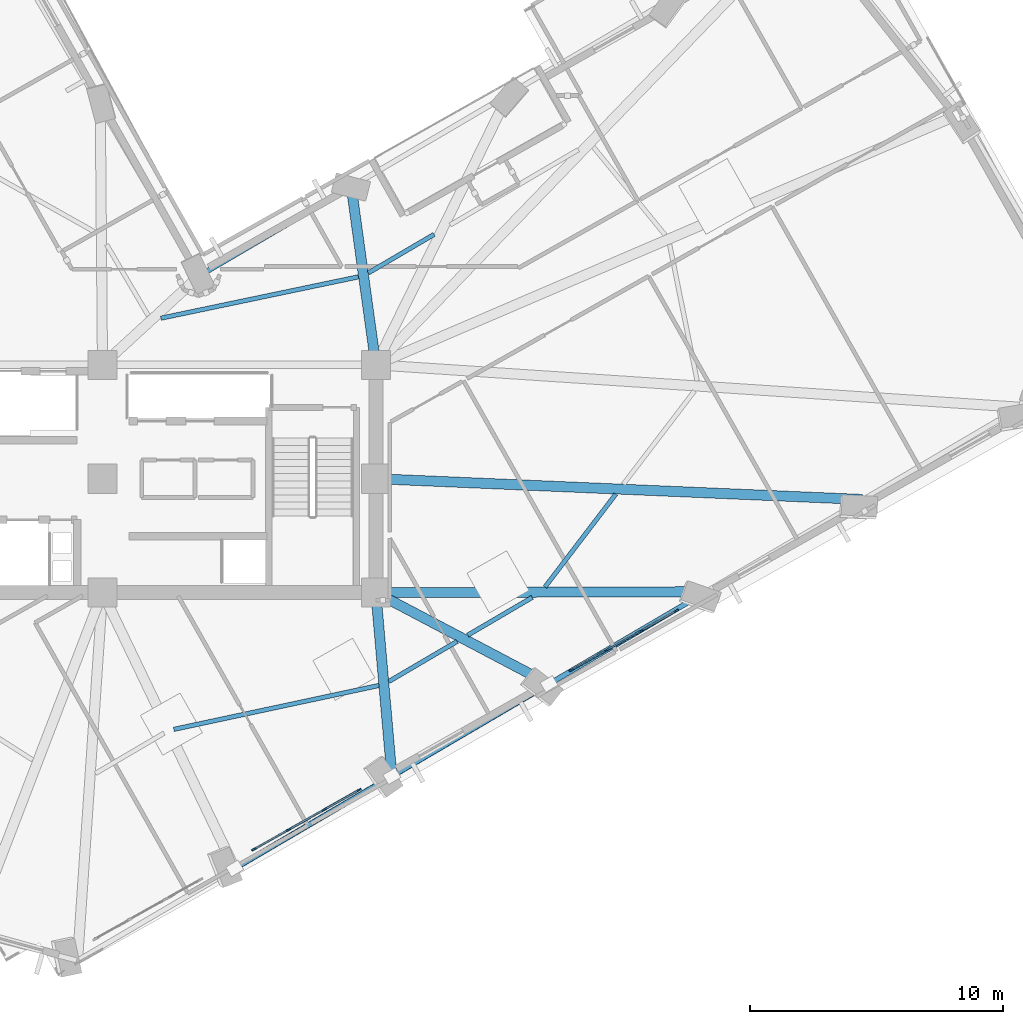
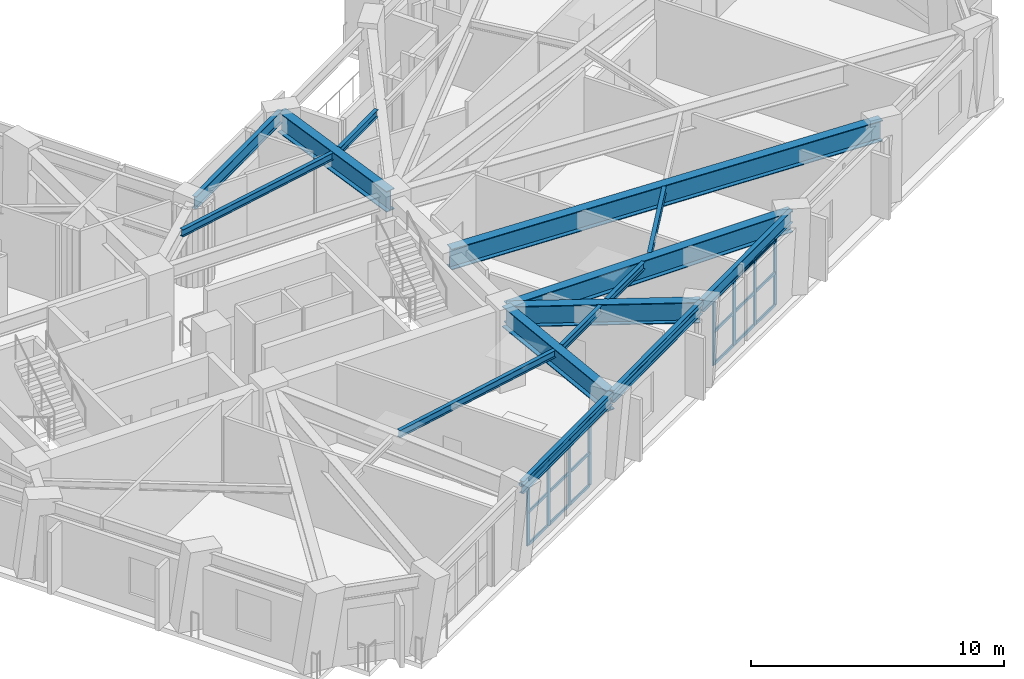
# One storey, part 4 of 18: 28 members, 15 beams, 2 elements without a shape of their own.
"""IFC4 building model written with IfcOpenShell, lengths in metres."""

from ifc_helpers import new_model, si_unit, direction, frame, origin, origin_2d, place, context, subcontext, project, spatial, rectangle, hollow_circle, i_section, extrude, material, material_profile, profile_set, type_object, element, aggregate, save


model = new_model("IFC4")

# Units and contexts
model_context = context("Model", 3, precision=1e-05, world=origin(), true_north=direction((0.0, 1.0)))
body_context = subcontext(model_context, "Body", "Model", "MODEL_VIEW")
ifc_project = project(units=[si_unit("LENGTHUNIT", "METRE"), si_unit("AREAUNIT", "SQUARE_METRE"), si_unit("VOLUMEUNIT", "CUBIC_METRE"), si_unit("PLANEANGLEUNIT", "RADIAN"), si_unit("MASSUNIT", "GRAM", prefix="KILO")], contexts=[model_context])

# Site, building, storey
site_placement = place(None, origin())
site = spatial("IfcSite", under=ifc_project, at=site_placement, CompositionType="ELEMENT")
building_placement = place(site_placement, origin())
building = spatial("IfcBuilding", under=site, at=building_placement, Name="Gaonmaruhae Medical Tower", CompositionType="ELEMENT")
storey_placement = place(building_placement, frame((0.0, 0.0, 149.800048828125)))
storey = spatial("IfcBuildingStorey", under=building, at=storey_placement, Name="L35", CompositionType="ELEMENT", Elevation=149.800048828125)

# Beams
ifc_material_1 = material(Name="Steel SM420", Category="steel")
ifc_material_profile_1 = material_profile(ifc_material_1, i_section(OverallWidth=0.39990234375, OverallDepth=1.0, WebThickness=0.02197265625, FlangeThickness=0.035888671875, at=origin_2d()), Name="BH-1000x400x22x36")
ifc_profile_set_1 = profile_set([ifc_material_profile_1], Name="Steel SM420")
beam_type_1 = type_object("IfcBeamType", Name="BG-02 Refuge Floor Primary Girder (BH-1000x400x22x36)", PredefinedType="BEAM", material=ifc_profile_set_1)
beam_1_placement = place(storey_placement, frame((35.604248046875, 7.750244140625, 3.280029296875), z_axis=(0.087128560013, -0.996197075899, 0.0), x_axis=(0.996197075899, 0.087128560013, 0.0)))
element("IfcBeam", 1, at=beam_1_placement, inside=storey, type_object=beam_type_1, Name="L35 Radial Primary Girder S03", PredefinedType="BEAM", context=body_context, shape_type="SweptSolid", body=[
    extrude(i_section(OverallWidth=0.39990234375, OverallDepth=1.0, WebThickness=0.02197265625, FlangeThickness=0.035888671875, at=origin_2d()), origin(), (0.0, 0.0, 1.0), 7.178955078125),
])
beam_2_placement = place(storey_placement, frame((35.644287109375, 7.776611328125, 3.280029296875), z_axis=(0.884624011189, -0.466305006223, 0.0), x_axis=(0.466305006223, 0.884624011189, 0.0)))
element("IfcBeam", 2, at=beam_2_placement, inside=storey, type_object=beam_type_1, Name="L35 Radial Primary Girder S04", PredefinedType="BEAM", context=body_context, shape_type="SweptSolid", body=[
    extrude(i_section(OverallWidth=0.39990234375, OverallDepth=1.0, WebThickness=0.02197265625, FlangeThickness=0.035888671875, at=origin_2d()), origin(), (0.0, 0.0, 1.0), 7.63671875),
])
beam_3_placement = place(storey_placement, frame((35.64990234375, 7.800048828125, 3.280029296875), z_axis=(0.999996266186, 0.002732693666, 0.0), x_axis=(-0.002732693666, 0.999996266186, 0.0)))
element("IfcBeam", 3, at=beam_3_placement, inside=storey, type_object=beam_type_1, Name="L35 Radial Primary Girder S05", PredefinedType="BEAM", context=body_context, shape_type="SweptSolid", body=[
    extrude(i_section(OverallWidth=0.39990234375, OverallDepth=1.0, WebThickness=0.02197265625, FlangeThickness=0.035888671875, at=origin_2d()), origin(), (0.0, 0.0, 1.0), 12.954345703125),
])
beam_4_placement = place(storey_placement, frame((35.64990234375, 12.2978515625, 3.280029296875), z_axis=(0.99909331986, -0.042573914685, 0.0), x_axis=(0.042573914685, 0.99909331986, 0.0)))
element("IfcBeam", 4, at=beam_4_placement, inside=storey, type_object=beam_type_1, Name="L35 Radial Primary Girder S06", PredefinedType="BEAM", context=body_context, shape_type="SweptSolid", body=[
    extrude(i_section(OverallWidth=0.39990234375, OverallDepth=1.0, WebThickness=0.02197265625, FlangeThickness=0.035888671875, at=origin_2d()), origin(), (0.0, 0.0, 1.0), 19.181884765625),
])
beam_5_placement = place(storey_placement, frame((35.59326171875, 16.849609375, 3.280029296875), z_axis=(-0.136798972832, 0.990598829513, 0.0), x_axis=(-0.990598829513, -0.136798972832, 0.0)))
element("IfcBeam", 5, at=beam_5_placement, inside=storey, type_object=beam_type_1, Name="L35 Radial Primary Girder EN03", PredefinedType="BEAM", context=body_context, shape_type="SweptSolid", body=[
    extrude(i_section(OverallWidth=0.39990234375, OverallDepth=1.0, WebThickness=0.02197265625, FlangeThickness=0.035888671875, at=origin_2d()), origin(), (0.0, 0.0, 1.0), 7.0048828125),
])

# Curtain wall, members
ifc_material_2 = material(Name="Anodised aluminium and Low-E double glazing", Category="aluminium")
curtain_wall_type_1 = type_object("IfcCurtainWallType", Name="CW-S3 Spiralling Dayroom Ribbon Curtain Wall", PredefinedType="NOTDEFINED", material=ifc_material_2)
curtain_wall_1_placement = place(storey_placement, origin())
curtain_wall_1 = element("IfcCurtainWall", 6, at=curtain_wall_1_placement, inside=storey, type_object=curtain_wall_type_1, Name="L35 Curtain Wall CW-L35-S02", PredefinedType="NOTDEFINED")
ifc_material_3 = material(Name="Anodised aluminium 6063-T6", Category="aluminium")
ifc_material_profile_2 = material_profile(ifc_material_3, rectangle(XDim=0.06494140625, YDim=0.179931640625, at=origin_2d()), Name="CWM-65x180")
ifc_profile_set_2 = profile_set([ifc_material_profile_2], Name="Anodised aluminium 6063-T6")
member_type_1 = type_object("IfcMemberType", Name="CWM-2 Tower Feature Curtain Wall Mullion (CWM-65x180)", PredefinedType="MULLION", material=ifc_profile_set_2)
member_1_placement = place(storey_placement, frame((34.93408203125, 0.001708984375, 0.0), z_axis=(0.0, 0.0, 1.0), x_axis=(0.491662875604, -0.870785631917, 0.0)))
member_1 = element("IfcMember", 7, at=member_1_placement, type_object=member_type_1, Name="CW-S3 mullion 1", PredefinedType="MULLION", context=body_context, shape_type="SweptSolid", body=[
    extrude(rectangle(XDim=0.06494140625, YDim=0.179931640625, at=origin_2d()), origin(), (0.0, 0.0, 1.0), 3.1650390625),
])
member_2_placement = place(storey_placement, frame((33.55810546875, -0.775390625, 0.0), z_axis=(0.0, 0.0, 1.0), x_axis=(0.491662875604, -0.870785631917, 0.0)))
member_2 = element("IfcMember", 8, at=member_2_placement, type_object=member_type_1, Name="CW-S3 mullion 2", PredefinedType="MULLION", context=body_context, shape_type="SweptSolid", body=[
    extrude(rectangle(XDim=0.06494140625, YDim=0.179931640625, at=origin_2d()), origin(), (0.0, 0.0, 1.0), 3.1650390625),
])
member_3_placement = place(storey_placement, frame((32.153564453125, -1.568359375, 0.0), z_axis=(0.0, 0.0, 1.0), x_axis=(0.491662875604, -0.870785631917, 0.0)))
member_3 = element("IfcMember", 9, at=member_3_placement, type_object=member_type_1, Name="CW-S3 mullion 3", PredefinedType="MULLION", context=body_context, shape_type="SweptSolid", body=[
    extrude(rectangle(XDim=0.06494140625, YDim=0.179931640625, at=origin_2d()), origin(), (0.0, 0.0, 1.0), 3.1650390625),
])
member_4_placement = place(storey_placement, frame((30.777587890625, -2.34521484375, 0.0), z_axis=(0.0, 0.0, 1.0), x_axis=(0.491662875604, -0.870785631917, 0.0)))
member_4 = element("IfcMember", 10, at=member_4_placement, type_object=member_type_1, Name="CW-S3 mullion 4", PredefinedType="MULLION", context=body_context, shape_type="SweptSolid", body=[
    extrude(rectangle(XDim=0.06494140625, YDim=0.179931640625, at=origin_2d()), origin(), (0.0, 0.0, 1.0), 3.1650390625),
])

curtain_wall_type_2 = type_object("IfcCurtainWallType", Name="CW-S4 Setback Sky Garden Wintergarden Curtain Wall", PredefinedType="NOTDEFINED", material=ifc_material_2)
curtain_wall_2_placement = place(storey_placement, origin())
curtain_wall_2 = element("IfcCurtainWall", 11, at=curtain_wall_2_placement, inside=storey, type_object=curtain_wall_type_2, Name="L35 Curtain Wall CW-L35-S04", PredefinedType="NOTDEFINED")
member_5_placement = place(storey_placement, frame((47.470703125, 7.080078125, 0.0), z_axis=(0.0, 0.0, 1.0), x_axis=(0.491668850336, -0.870782258437, 0.0)))
member_5 = element("IfcMember", 12, at=member_5_placement, type_object=member_type_1, Name="CW-S4 mullion 1", PredefinedType="MULLION", context=body_context, shape_type="SweptSolid", body=[
    extrude(rectangle(XDim=0.06494140625, YDim=0.179931640625, at=origin_2d()), origin(), (0.0, 0.0, 1.0), 3.1650390625),
])
member_6_placement = place(storey_placement, frame((46.09765625, 6.3046875, 0.0), z_axis=(0.0, 0.0, 1.0), x_axis=(0.491668850336, -0.870782258437, 0.0)))
member_6 = element("IfcMember", 13, at=member_6_placement, type_object=member_type_1, Name="CW-S4 mullion 2", PredefinedType="MULLION", context=body_context, shape_type="SweptSolid", body=[
    extrude(rectangle(XDim=0.06494140625, YDim=0.179931640625, at=origin_2d()), origin(), (0.0, 0.0, 1.0), 3.1650390625),
])
member_7_placement = place(storey_placement, frame((44.6962890625, 5.513427734375, 0.0), z_axis=(0.0, 0.0, 1.0), x_axis=(0.491668850336, -0.870782258437, 0.0)))
member_7 = element("IfcMember", 14, at=member_7_placement, type_object=member_type_1, Name="CW-S4 mullion 3", PredefinedType="MULLION", context=body_context, shape_type="SweptSolid", body=[
    extrude(rectangle(XDim=0.06494140625, YDim=0.179931640625, at=origin_2d()), origin(), (0.0, 0.0, 1.0), 3.1650390625),
])
member_8_placement = place(storey_placement, frame((43.3232421875, 4.73828125, 0.0), z_axis=(0.0, 0.0, 1.0), x_axis=(0.491668850336, -0.870782258437, 0.0)))
member_8 = element("IfcMember", 15, at=member_8_placement, type_object=member_type_1, Name="CW-S4 mullion 4", PredefinedType="MULLION", context=body_context, shape_type="SweptSolid", body=[
    extrude(rectangle(XDim=0.06494140625, YDim=0.179931640625, at=origin_2d()), origin(), (0.0, 0.0, 1.0), 3.1650390625),
])

# Member
ifc_material_profile_3 = material_profile(ifc_material_3, rectangle(XDim=0.06494140625, YDim=0.139892578125, at=origin_2d()), Name="CWT-65x140")
ifc_profile_set_3 = profile_set([ifc_material_profile_3], Name="Anodised aluminium 6063-T6")
member_type_2 = type_object("IfcMemberType", Name="CWT-2 Tower Feature Curtain Wall Transom (CWT-65x140)", PredefinedType="USERDEFINED", material=ifc_profile_set_3)
member_9_placement = place(storey_placement, frame((34.90576171875, -0.014404296875, 0.032470703125), z_axis=(-0.87079983027, -0.491637728008, 0.0), x_axis=(0.491637728008, -0.87079983027, 0.0)))
member_9 = element("IfcMember", 16, at=member_9_placement, type_object=member_type_2, Name="CW-S3 transom 1.1", ObjectType="TRANSOM", PredefinedType="USERDEFINED", context=body_context, shape_type="SweptSolid", body=[
    extrude(rectangle(XDim=0.06494140625, YDim=0.139892578125, at=origin_2d()), origin(), (0.0, 0.0, 1.0), 1.51513671875),
])

member_10_placement = place(storey_placement, frame((34.90576171875, -0.014404296875, 1.58251953125), z_axis=(-0.87079983027, -0.491637728008, 0.0), x_axis=(0.491637728008, -0.87079983027, 0.0)))
member_10 = element("IfcMember", 17, at=member_10_placement, type_object=member_type_2, Name="CW-S3 transom 1.2", ObjectType="TRANSOM", PredefinedType="USERDEFINED", context=body_context, shape_type="SweptSolid", body=[
    extrude(rectangle(XDim=0.06494140625, YDim=0.139892578125, at=origin_2d()), origin(), (0.0, 0.0, 1.0), 1.51513671875),
])

member_11_placement = place(storey_placement, frame((34.90576171875, -0.014404296875, 3.132568359375), z_axis=(-0.87079983027, -0.491637728008, 0.0), x_axis=(0.491637728008, -0.87079983027, 0.0)))
member_11 = element("IfcMember", 18, at=member_11_placement, type_object=member_type_2, Name="CW-S3 transom 1.3", ObjectType="TRANSOM", PredefinedType="USERDEFINED", context=body_context, shape_type="SweptSolid", body=[
    extrude(rectangle(XDim=0.06494140625, YDim=0.139892578125, at=origin_2d()), origin(), (0.0, 0.0, 1.0), 1.51513671875),
])

member_12_placement = place(storey_placement, frame((33.52978515625, -0.791259765625, 0.032470703125), z_axis=(-0.870803616355, -0.491631021949, 0.0), x_axis=(0.491631021949, -0.870803616355, 0.0)))
member_12 = element("IfcMember", 19, at=member_12_placement, type_object=member_type_2, Name="CW-S3 transom 2.1", ObjectType="TRANSOM", PredefinedType="USERDEFINED", context=body_context, shape_type="SweptSolid", body=[
    extrude(rectangle(XDim=0.06494140625, YDim=0.139892578125, at=origin_2d()), origin(), (0.0, 0.0, 1.0), 1.5478515625),
])

member_13_placement = place(storey_placement, frame((33.52978515625, -0.791259765625, 1.58251953125), z_axis=(-0.870803616355, -0.491631021949, 0.0), x_axis=(0.491631021949, -0.870803616355, 0.0)))
member_13 = element("IfcMember", 20, at=member_13_placement, type_object=member_type_2, Name="CW-S3 transom 2.2", ObjectType="TRANSOM", PredefinedType="USERDEFINED", context=body_context, shape_type="SweptSolid", body=[
    extrude(rectangle(XDim=0.06494140625, YDim=0.139892578125, at=origin_2d()), origin(), (0.0, 0.0, 1.0), 1.5478515625),
])

member_14_placement = place(storey_placement, frame((33.52978515625, -0.791259765625, 3.132568359375), z_axis=(-0.870803616355, -0.491631021949, 0.0), x_axis=(0.491631021949, -0.870803616355, 0.0)))
member_14 = element("IfcMember", 21, at=member_14_placement, type_object=member_type_2, Name="CW-S3 transom 2.3", ObjectType="TRANSOM", PredefinedType="USERDEFINED", context=body_context, shape_type="SweptSolid", body=[
    extrude(rectangle(XDim=0.06494140625, YDim=0.139892578125, at=origin_2d()), origin(), (0.0, 0.0, 1.0), 1.5478515625),
])

member_15_placement = place(storey_placement, frame((32.125244140625, -1.584228515625, 0.032470703125), z_axis=(-0.87073084028, -0.491759904614, 0.0), x_axis=(0.491759904614, -0.87073084028, 0.0)))
member_15 = element("IfcMember", 22, at=member_15_placement, type_object=member_type_2, Name="CW-S3 transom 3.1", ObjectType="TRANSOM", PredefinedType="USERDEFINED", context=body_context, shape_type="SweptSolid", body=[
    extrude(rectangle(XDim=0.06494140625, YDim=0.139892578125, at=origin_2d()), origin(), (0.0, 0.0, 1.0), 1.51513671875),
])

member_16_placement = place(storey_placement, frame((32.125244140625, -1.584228515625, 1.58251953125), z_axis=(-0.87073084028, -0.491759904614, 0.0), x_axis=(0.491759904614, -0.87073084028, 0.0)))
member_16 = element("IfcMember", 23, at=member_16_placement, type_object=member_type_2, Name="CW-S3 transom 3.2", ObjectType="TRANSOM", PredefinedType="USERDEFINED", context=body_context, shape_type="SweptSolid", body=[
    extrude(rectangle(XDim=0.06494140625, YDim=0.139892578125, at=origin_2d()), origin(), (0.0, 0.0, 1.0), 1.51513671875),
])

member_17_placement = place(storey_placement, frame((32.125244140625, -1.584228515625, 3.132568359375), z_axis=(-0.87073084028, -0.491759904614, 0.0), x_axis=(0.491759904614, -0.87073084028, 0.0)))
member_17 = element("IfcMember", 24, at=member_17_placement, type_object=member_type_2, Name="CW-S3 transom 3.3", ObjectType="TRANSOM", PredefinedType="USERDEFINED", context=body_context, shape_type="SweptSolid", body=[
    extrude(rectangle(XDim=0.06494140625, YDim=0.139892578125, at=origin_2d()), origin(), (0.0, 0.0, 1.0), 1.51513671875),
])

aggregate(curtain_wall_1, [member_1, member_2, member_3, member_4, member_9, member_10, member_11, member_12, member_13, member_14, member_15, member_16, member_17])

member_18_placement = place(storey_placement, frame((47.4423828125, 7.06396484375, 0.032470703125), z_axis=(-0.870815387986, -0.491610170814, 0.0), x_axis=(0.491610170814, -0.870815387986, 0.0)))
member_18 = element("IfcMember", 25, at=member_18_placement, type_object=member_type_2, Name="CW-S4 transom 1.1", ObjectType="TRANSOM", PredefinedType="USERDEFINED", context=body_context, shape_type="SweptSolid", body=[
    extrude(rectangle(XDim=0.06494140625, YDim=0.139892578125, at=origin_2d()), origin(), (0.0, 0.0, 1.0), 1.51171875),
])

member_19_placement = place(storey_placement, frame((47.4423828125, 7.06396484375, 1.58251953125), z_axis=(-0.870815387986, -0.491610170814, 0.0), x_axis=(0.491610170814, -0.870815387986, 0.0)))
member_19 = element("IfcMember", 26, at=member_19_placement, type_object=member_type_2, Name="CW-S4 transom 1.2", ObjectType="TRANSOM", PredefinedType="USERDEFINED", context=body_context, shape_type="SweptSolid", body=[
    extrude(rectangle(XDim=0.06494140625, YDim=0.139892578125, at=origin_2d()), origin(), (0.0, 0.0, 1.0), 1.51171875),
])

member_20_placement = place(storey_placement, frame((47.4423828125, 7.06396484375, 3.132568359375), z_axis=(-0.870815387986, -0.491610170814, 0.0), x_axis=(0.491610170814, -0.870815387986, 0.0)))
member_20 = element("IfcMember", 27, at=member_20_placement, type_object=member_type_2, Name="CW-S4 transom 1.3", ObjectType="TRANSOM", PredefinedType="USERDEFINED", context=body_context, shape_type="SweptSolid", body=[
    extrude(rectangle(XDim=0.06494140625, YDim=0.139892578125, at=origin_2d()), origin(), (0.0, 0.0, 1.0), 1.51171875),
])

member_21_placement = place(storey_placement, frame((46.0693359375, 6.288818359375, 0.032470703125), z_axis=(-0.870780641957, -0.491671713233, 0.0), x_axis=(0.491671713233, -0.870780641957, 0.0)))
member_21 = element("IfcMember", 28, at=member_21_placement, type_object=member_type_2, Name="CW-S4 transom 2.1", ObjectType="TRANSOM", PredefinedType="USERDEFINED", context=body_context, shape_type="SweptSolid", body=[
    extrude(rectangle(XDim=0.06494140625, YDim=0.139892578125, at=origin_2d()), origin(), (0.0, 0.0, 1.0), 1.544189453125),
])

member_22_placement = place(storey_placement, frame((46.0693359375, 6.288818359375, 1.58251953125), z_axis=(-0.870780641957, -0.491671713233, 0.0), x_axis=(0.491671713233, -0.870780641957, 0.0)))
member_22 = element("IfcMember", 29, at=member_22_placement, type_object=member_type_2, Name="CW-S4 transom 2.2", ObjectType="TRANSOM", PredefinedType="USERDEFINED", context=body_context, shape_type="SweptSolid", body=[
    extrude(rectangle(XDim=0.06494140625, YDim=0.139892578125, at=origin_2d()), origin(), (0.0, 0.0, 1.0), 1.544189453125),
])

member_23_placement = place(storey_placement, frame((46.0693359375, 6.288818359375, 3.132568359375), z_axis=(-0.870780641957, -0.491671713233, 0.0), x_axis=(0.491671713233, -0.870780641957, 0.0)))
member_23 = element("IfcMember", 30, at=member_23_placement, type_object=member_type_2, Name="CW-S4 transom 2.3", ObjectType="TRANSOM", PredefinedType="USERDEFINED", context=body_context, shape_type="SweptSolid", body=[
    extrude(rectangle(XDim=0.06494140625, YDim=0.139892578125, at=origin_2d()), origin(), (0.0, 0.0, 1.0), 1.544189453125),
])

member_24_placement = place(storey_placement, frame((44.66796875, 5.49755859375, 0.032470703125), z_axis=(-0.870746245853, -0.491732625857, 0.0), x_axis=(0.491732625857, -0.870746245853, 0.0)))
member_24 = element("IfcMember", 31, at=member_24_placement, type_object=member_type_2, Name="CW-S4 transom 3.1", ObjectType="TRANSOM", PredefinedType="USERDEFINED", context=body_context, shape_type="SweptSolid", body=[
    extrude(rectangle(XDim=0.06494140625, YDim=0.139892578125, at=origin_2d()), origin(), (0.0, 0.0, 1.0), 1.51171875),
])

member_25_placement = place(storey_placement, frame((44.66796875, 5.49755859375, 1.58251953125), z_axis=(-0.870746245853, -0.491732625857, 0.0), x_axis=(0.491732625857, -0.870746245853, 0.0)))
member_25 = element("IfcMember", 32, at=member_25_placement, type_object=member_type_2, Name="CW-S4 transom 3.2", ObjectType="TRANSOM", PredefinedType="USERDEFINED", context=body_context, shape_type="SweptSolid", body=[
    extrude(rectangle(XDim=0.06494140625, YDim=0.139892578125, at=origin_2d()), origin(), (0.0, 0.0, 1.0), 1.51171875),
])

member_26_placement = place(storey_placement, frame((44.66796875, 5.49755859375, 3.132568359375), z_axis=(-0.870746245853, -0.491732625857, 0.0), x_axis=(0.491732625857, -0.870746245853, 0.0)))
member_26 = element("IfcMember", 33, at=member_26_placement, type_object=member_type_2, Name="CW-S4 transom 3.3", ObjectType="TRANSOM", PredefinedType="USERDEFINED", context=body_context, shape_type="SweptSolid", body=[
    extrude(rectangle(XDim=0.06494140625, YDim=0.139892578125, at=origin_2d()), origin(), (0.0, 0.0, 1.0), 1.51171875),
])

aggregate(curtain_wall_2, [member_5, member_6, member_7, member_8, member_18, member_19, member_20, member_21, member_22, member_23, member_24, member_25, member_26])

# Beams
ifc_material_4 = material(Name="Steel SM355", Category="steel")
ifc_material_profile_4 = material_profile(ifc_material_4, i_section(OverallWidth=0.175048828125, OverallDepth=0.35009765625, WebThickness=0.007080078125, FlangeThickness=0.010986328125, FilletRadius=0.012939453125, at=origin_2d()), Name="H-350x175x7x11")
ifc_profile_set_4 = profile_set([ifc_material_profile_4], Name="Steel SM355")
beam_type_2 = type_object("IfcBeamType", Name="FJ-02 Upper Zone Ward Floor Joist (H-350x175x7x11)", PredefinedType="JOIST", material=ifc_profile_set_4)
beam_6_placement = place(storey_placement, frame((27.618896484375, 2.39697265625, 3.60498046875), z_axis=(0.977822261348, 0.209436446713, 0.0), x_axis=(-0.209436446713, 0.977822261348, 0.0)))
element("IfcBeam", 34, at=beam_6_placement, inside=storey, type_object=beam_type_2, Name="L35 Secondary Floor Joist FJ02", PredefinedType="JOIST", context=body_context, shape_type="SweptSolid", body=[
    extrude(i_section(OverallWidth=0.175048828125, OverallDepth=0.35009765625, WebThickness=0.007080078125, FlangeThickness=0.010986328125, FilletRadius=0.012939453125, at=origin_2d()), origin(), (0.0, 0.0, 1.0), 8.27880859375),
])
beam_7_placement = place(storey_placement, frame((36.11328125, 4.28955078125, 3.60498046875), z_axis=(0.862514923334, 0.506031626508, 0.0), x_axis=(-0.506031626508, 0.862514923334, 0.0)))
element("IfcBeam", 35, at=beam_7_placement, inside=storey, type_object=beam_type_2, Name="L35 Secondary Floor Joist FJ03", PredefinedType="JOIST", context=body_context, shape_type="SweptSolid", body=[
    extrude(i_section(OverallWidth=0.175048828125, OverallDepth=0.35009765625, WebThickness=0.007080078125, FlangeThickness=0.010986328125, FilletRadius=0.012939453125, at=origin_2d()), origin(), (0.0, 0.0, 1.0), 3.131103515625),
])
beam_8_placement = place(storey_placement, frame((39.230224609375, 6.1181640625, 3.60498046875), z_axis=(0.862523944394, 0.506016250082, 0.0), x_axis=(-0.506016250082, 0.862523944394, 0.0)))
element("IfcBeam", 36, at=beam_8_placement, inside=storey, type_object=beam_type_2, Name="L35 Secondary Floor Joist FJ04", PredefinedType="JOIST", context=body_context, shape_type="SweptSolid", body=[
    extrude(i_section(OverallWidth=0.175048828125, OverallDepth=0.35009765625, WebThickness=0.007080078125, FlangeThickness=0.010986328125, FilletRadius=0.012939453125, at=origin_2d()), origin(), (0.0, 0.0, 1.0), 2.95556640625),
])
beam_9_placement = place(storey_placement, frame((42.28369140625, 8.02294921875, 3.60498046875), z_axis=(0.606382818203, 0.795172860319, 0.0), x_axis=(-0.795172860319, 0.606382818203, 0.0)))
element("IfcBeam", 37, at=beam_9_placement, inside=storey, type_object=beam_type_2, Name="L35 Secondary Floor Joist FJ05", PredefinedType="JOIST", context=body_context, shape_type="SweptSolid", body=[
    extrude(i_section(OverallWidth=0.175048828125, OverallDepth=0.35009765625, WebThickness=0.007080078125, FlangeThickness=0.010986328125, FilletRadius=0.012939453125, at=origin_2d()), origin(), (0.0, 0.0, 1.0), 4.61279296875),
])
beam_10_placement = place(storey_placement, frame((37.901123046875, 21.9541015625, 3.60498046875), z_axis=(-0.862534349411, -0.505998513916, 0.0), x_axis=(0.505998513916, -0.862534349411, 0.0)))
element("IfcBeam", 38, at=beam_10_placement, inside=storey, type_object=beam_type_2, Name="L35 Secondary Floor Joist FJ10", PredefinedType="JOIST", context=body_context, shape_type="SweptSolid", body=[
    extrude(i_section(OverallWidth=0.175048828125, OverallDepth=0.35009765625, WebThickness=0.007080078125, FlangeThickness=0.010986328125, FilletRadius=0.012939453125, at=origin_2d()), origin(), (0.0, 0.0, 1.0), 3.0087890625),
])
beam_11_placement = place(storey_placement, frame((34.911865234375, 20.276611328125, 3.60498046875), z_axis=(-0.978773634858, -0.204944313673, 0.0), x_axis=(0.204944313673, -0.978773634858, 0.0)))
element("IfcBeam", 39, at=beam_11_placement, inside=storey, type_object=beam_type_2, Name="L35 Secondary Floor Joist FJ11", PredefinedType="JOIST", context=body_context, shape_type="SweptSolid", body=[
    extrude(i_section(OverallWidth=0.175048828125, OverallDepth=0.35009765625, WebThickness=0.007080078125, FlangeThickness=0.010986328125, FilletRadius=0.012939453125, at=origin_2d()), origin(), (0.0, 0.0, 1.0), 7.975341796875),
])

# Members
ifc_material_profile_5 = material_profile(ifc_material_4, hollow_circle(Radius=0.108154296875, WallThickness=0.00830078125, at=origin_2d()), Name="CHS-216.3x8.2")
ifc_profile_set_5 = profile_set([ifc_material_profile_5], Name="Steel SM355")
member_type_3 = type_object("IfcMemberType", Name="PR-03 Sky Garden Pergola Purlin (CHS-216.3x8.2)", PredefinedType="PURLIN", material=ifc_profile_set_5)
member_27_placement = place(storey_placement, frame((30.02392578125, -3.0947265625, 3.625), z_axis=(0.862510698356, 0.506038827781, 0.0), x_axis=(-0.436465406111, 0.743927267169, 0.506033764121)))
element("IfcMember", 40, at=member_27_placement, inside=storey, type_object=member_type_3, Name="L35 Sky Garden Pergola Purlin 1", PredefinedType="PURLIN", context=body_context, shape_type="SweptSolid", body=[
    extrude(hollow_circle(Radius=0.108154296875, WallThickness=0.00830078125, at=origin_2d()), origin(), (0.0, 0.0, 1.0), 7.2001953125),
])
member_28_placement = place(storey_placement, frame((36.234130859375, 0.548828125, 3.625), z_axis=(0.862516815143, 0.506028401965, 0.0), x_axis=(-0.436456413702, 0.743932542982, 0.506033764121)))
element("IfcMember", 41, at=member_28_placement, inside=storey, type_object=member_type_3, Name="L35 Sky Garden Pergola Purlin 2", PredefinedType="PURLIN", context=body_context, shape_type="SweptSolid", body=[
    extrude(hollow_circle(Radius=0.108154296875, WallThickness=0.00830078125, at=origin_2d()), origin(), (0.0, 0.0, 1.0), 7.19970703125),
])

# Beams
ifc_material_profile_6 = material_profile(ifc_material_4, i_section(OverallWidth=0.199951171875, OverallDepth=0.60009765625, WebThickness=0.010986328125, FlangeThickness=0.01708984375, FilletRadius=0.012939453125, at=origin_2d()), Name="H-600x200x11x17")
ifc_profile_set_6 = profile_set([ifc_material_profile_6], Name="Steel SM355")
beam_type_3 = type_object("IfcBeamType", Name="SP-01 Lower Perimeter Spandrel Beam (H-600x200x11x17)", PredefinedType="SPANDREL", material=ifc_profile_set_6)
beam_12_placement = place(storey_placement, frame((30.05859375, -3.074462890625, 3.47998046875), z_axis=(0.862510139418, 0.506039780454, 0.0), x_axis=(-0.506039780454, 0.862510139418, 0.0)))
element("IfcBeam", 42, at=beam_12_placement, inside=storey, type_object=beam_type_3, Name="L35 Perimeter Spandrel Beam S02-S03", PredefinedType="SPANDREL", context=body_context, shape_type="SweptSolid", body=[
    extrude(i_section(OverallWidth=0.199951171875, OverallDepth=0.60009765625, WebThickness=0.010986328125, FlangeThickness=0.01708984375, FilletRadius=0.012939453125, at=origin_2d()), origin(), (0.0, 0.0, 1.0), 7.1201171875),
])
beam_13_placement = place(storey_placement, frame((36.2685546875, 0.569091796875, 3.47998046875), z_axis=(0.86252510531, 0.506014271251, 0.0), x_axis=(-0.506014271251, 0.86252510531, 0.0)))
element("IfcBeam", 43, at=beam_13_placement, inside=storey, type_object=beam_type_3, Name="L35 Perimeter Spandrel Beam S03-S04", PredefinedType="SPANDREL", context=body_context, shape_type="SweptSolid", body=[
    extrude(i_section(OverallWidth=0.199951171875, OverallDepth=0.60009765625, WebThickness=0.010986328125, FlangeThickness=0.01708984375, FilletRadius=0.012939453125, at=origin_2d()), origin(), (0.0, 0.0, 1.0), 7.119873046875),
])
beam_14_placement = place(storey_placement, frame((42.478759765625, 4.21240234375, 3.47998046875), z_axis=(0.862510139418, 0.506039780454, 0.0), x_axis=(-0.506039780454, 0.862510139418, 0.0)))
element("IfcBeam", 44, at=beam_14_placement, inside=storey, type_object=beam_type_3, Name="L35 Perimeter Spandrel Beam S04-S05", PredefinedType="SPANDREL", context=body_context, shape_type="SweptSolid", body=[
    extrude(i_section(OverallWidth=0.199951171875, OverallDepth=0.60009765625, WebThickness=0.010986328125, FlangeThickness=0.01708984375, FilletRadius=0.012939453125, at=origin_2d()), origin(), (0.0, 0.0, 1.0), 7.1201171875),
])
beam_15_placement = place(storey_placement, frame((34.59375, 23.81787109375, 3.47998046875), z_axis=(-0.862509188588, -0.506041401075, 0.0), x_axis=(0.506041401075, -0.862509188588, 0.0)))
element("IfcBeam", 45, at=beam_15_placement, inside=storey, type_object=beam_type_3, Name="L35 Perimeter Spandrel Beam EN03-KN01", PredefinedType="SPANDREL", context=body_context, shape_type="SweptSolid", body=[
    extrude(i_section(OverallWidth=0.199951171875, OverallDepth=0.60009765625, WebThickness=0.010986328125, FlangeThickness=0.01708984375, FilletRadius=0.012939453125, at=origin_2d()), origin(), (0.0, 0.0, 1.0), 6.8701171875),
])

save(model, "model.ifc")
